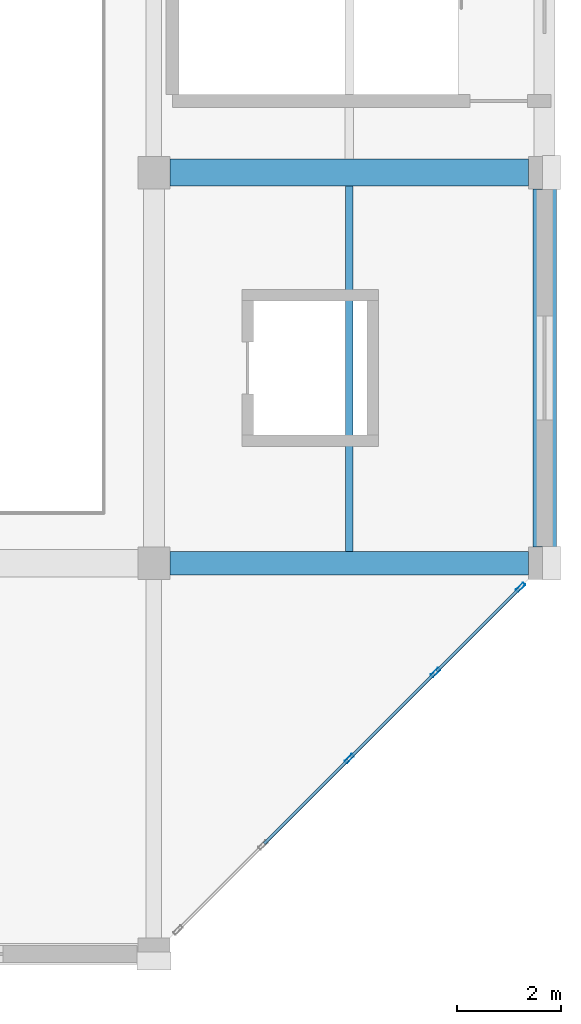
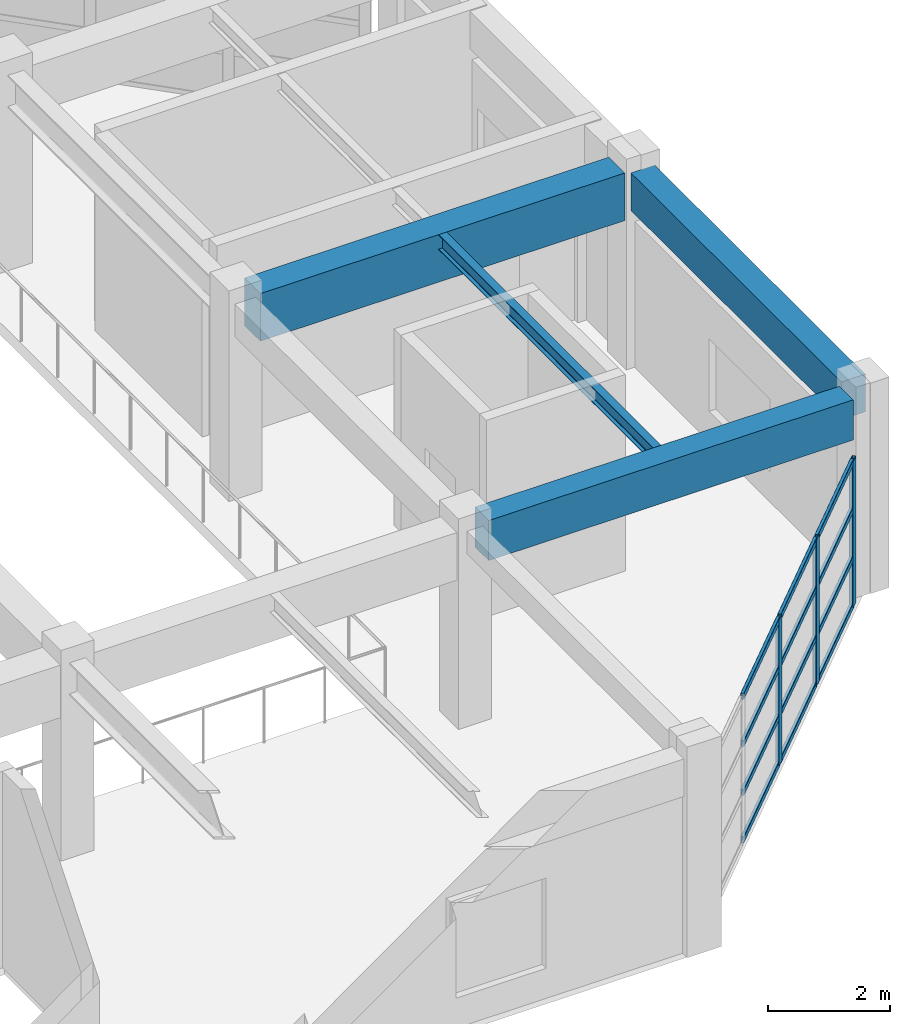
# One storey, part 66 of 124: 15 members, 4 beams, 1 element without a shape of its own.
"""IFC4 building model written with IfcOpenShell, lengths in metres."""

from ifc_helpers import new_model, si_unit, direction, frame, origin, origin_2d, place, context, subcontext, project, spatial, rectangle, hollow_rectangle, i_section, extrude, material, material_profile, profile_set, type_object, element, aggregate, save


model = new_model("IFC4")

# Units and contexts
model_context = context("Model", 3, precision=1e-05, world=origin(), true_north=direction((0.0, 1.0)))
body_context = subcontext(model_context, "Body", "Model", "MODEL_VIEW")
ifc_project = project(units=[si_unit("LENGTHUNIT", "METRE"), si_unit("AREAUNIT", "SQUARE_METRE"), si_unit("VOLUMEUNIT", "CUBIC_METRE"), si_unit("PLANEANGLEUNIT", "RADIAN"), si_unit("MASSUNIT", "GRAM", prefix="KILO")], contexts=[model_context])

# Site, building, storey
site_placement = place(None, origin())
site = spatial("IfcSite", under=ifc_project, at=site_placement, CompositionType="ELEMENT")
building_placement = place(site_placement, origin())
building = spatial("IfcBuilding", under=site, at=building_placement, Name="Qasida Concert Hall", CompositionType="ELEMENT")
storey_placement = place(building_placement, frame((0.0, 0.0, 9.0)))
storey = spatial("IfcBuildingStorey", under=building, at=storey_placement, Name="L02", CompositionType="ELEMENT", Elevation=9.0)

# Beams
ifc_material_1 = material(Name="Concrete C40/50", Category="concrete")
ifc_material_profile_1 = material_profile(ifc_material_1, rectangle(XDim=0.449951171875, YDim=0.800048828125, at=origin_2d()), Name="RC 450x800")
ifc_profile_set_1 = profile_set([ifc_material_profile_1], Name="Concrete C40/50")
beam_type_1 = type_object("IfcBeamType", Name="BM-G2", PredefinedType="USERDEFINED", material=ifc_profile_set_1)
beam_1_placement = place(storey_placement, frame((157.81005859375, 7.5, 3.5), z_axis=(1.0, 0.0, 0.0), x_axis=(0.0, 1.0, 0.0)))
element("IfcBeam", 1, at=beam_1_placement, inside=storey, type_object=beam_type_1, Name="Primary girder 1230", ObjectType="GIRDER", PredefinedType="USERDEFINED", context=body_context, shape_type="SweptSolid", body=[
    extrude(rectangle(XDim=0.449951171875, YDim=0.800048828125, at=origin_2d()), origin(), (0.0, 0.0, 1.0), 6.8798828125),
])
ifc_material_profile_2 = material_profile(ifc_material_1, rectangle(XDim=0.52001953125, YDim=0.949951171875, at=origin_2d()), Name="RC 520x950")
ifc_profile_set_2 = profile_set([ifc_material_profile_2], Name="Concrete C40/50")
beam_type_2 = type_object("IfcBeamType", Name="BM-G7", PredefinedType="USERDEFINED", material=ifc_profile_set_2)
beam_2_placement = place(storey_placement, frame((157.81005859375, 15.0, 3.425048828125), z_axis=(1.0, 0.0, 0.0), x_axis=(0.0, 1.0, 0.0)))
element("IfcBeam", 2, at=beam_2_placement, inside=storey, type_object=beam_type_2, Name="Primary girder 1232", ObjectType="GIRDER", PredefinedType="USERDEFINED", context=body_context, shape_type="SweptSolid", body=[
    extrude(rectangle(XDim=0.52001953125, YDim=0.949951171875, at=origin_2d()), origin(), (0.0, 0.0, 1.0), 6.8798828125),
])
ifc_material_2 = material(Name="Steel S355J2", Category="steel")
ifc_material_profile_3 = material_profile(ifc_material_2, i_section(OverallWidth=0.14990234375, OverallDepth=0.300048828125, WebThickness=0.007080078125, FlangeThickness=0.0107421875, FilletRadius=0.014892578125, at=origin_2d()), Name="IPE 300")
ifc_profile_set_3 = profile_set([ifc_material_profile_3], Name="Steel S355J2")
beam_type_3 = type_object("IfcBeamType", Name="BM-J4", PredefinedType="JOIST", material=ifc_profile_set_3)
beam_3_placement = place(storey_placement, frame((161.25, 7.72509765625, 3.75), z_axis=(0.0, 1.0, 0.0), x_axis=(-1.0, 0.0, 0.0)))
element("IfcBeam", 3, at=beam_3_placement, inside=storey, type_object=beam_type_3, Name="L02 secondary joist 1267", PredefinedType="JOIST", context=body_context, shape_type="SweptSolid", body=[
    extrude(i_section(OverallWidth=0.14990234375, OverallDepth=0.300048828125, WebThickness=0.007080078125, FlangeThickness=0.0107421875, FilletRadius=0.014892578125, at=origin_2d()), origin(), (0.0, 0.0, 1.0), 7.014892578125),
])
ifc_material_profile_4 = material_profile(ifc_material_1, rectangle(XDim=0.449951171875, YDim=0.75, at=origin_2d()), Name="RC 450x750")
ifc_profile_set_4 = profile_set([ifc_material_profile_4], Name="Concrete C40/50")
beam_type_4 = type_object("IfcBeamType", Name="BM-SP4", PredefinedType="SPANDREL", material=ifc_profile_set_4)
beam_4_placement = place(storey_placement, frame((165.0, 7.81005859375, 3.52490234375), z_axis=(0.0, 1.0, 0.0), x_axis=(-1.0, 0.0, 0.0)))
element("IfcBeam", 4, at=beam_4_placement, inside=storey, type_object=beam_type_4, Name="L02 girder 1257", PredefinedType="SPANDREL", context=body_context, shape_type="SweptSolid", body=[
    extrude(rectangle(XDim=0.449951171875, YDim=0.75, at=origin_2d()), origin(), (0.0, 0.0, 1.0), 6.8798828125),
])

# Curtain wall, members
ifc_material_3 = material(Name="Architectural bronze-anodized aluminium and low-E glass", Category="aluminium")
curtain_wall_type = type_object("IfcCurtainWallType", Name="CW-07", PredefinedType="NOTDEFINED", material=ifc_material_3)
curtain_wall_placement = place(storey_placement, origin())
curtain_wall = element("IfcCurtainWall", 5, at=curtain_wall_placement, inside=storey, type_object=curtain_wall_type, Name="L02 curtain wall CW-07 0147", PredefinedType="NOTDEFINED")
ifc_material_4 = material(Name="Architectural bronze-anodized aluminium EN AW-6063", Category="aluminium")
ifc_material_profile_5 = material_profile(ifc_material_4, hollow_rectangle(XDim=0.06494140625, YDim=0.199951171875, WallThickness=0.0048828125, InnerFilletRadius=0.0048828125, OuterFilletRadius=0.010009765625, at=origin_2d()), Name="CWM 200x65x5")
ifc_profile_set_5 = profile_set([ifc_material_profile_5], Name="Architectural bronze-anodized aluminium EN AW-6063")
member_type_1 = type_object("IfcMemberType", Name="MB-CWM-2", PredefinedType="MULLION", material=ifc_profile_set_5)
member_1_placement = place(storey_placement, frame((161.25, 3.75, 0.0), z_axis=(0.0, 0.0, 1.0), x_axis=(-0.707106781187, 0.707106781187, 0.0)))
member_1 = element("IfcMember", 6, at=member_1_placement, type_object=member_type_1, Name="CW-07 mullion 3", PredefinedType="MULLION", context=body_context, shape_type="SweptSolid", body=[
    extrude(hollow_rectangle(XDim=0.06494140625, YDim=0.199951171875, WallThickness=0.0048828125, InnerFilletRadius=0.0048828125, OuterFilletRadius=0.010009765625, at=origin_2d()), origin(), (0.0, 0.0, 1.0), 2.919921875),
])
member_2_placement = place(storey_placement, frame((162.90576171875, 5.40576171875, 0.0), z_axis=(0.0, 0.0, 1.0), x_axis=(-0.707106781187, 0.707106781187, 0.0)))
member_2 = element("IfcMember", 7, at=member_2_placement, type_object=member_type_1, Name="CW-07 mullion 4", PredefinedType="MULLION", context=body_context, shape_type="SweptSolid", body=[
    extrude(hollow_rectangle(XDim=0.06494140625, YDim=0.199951171875, WallThickness=0.0048828125, InnerFilletRadius=0.0048828125, OuterFilletRadius=0.010009765625, at=origin_2d()), origin(), (0.0, 0.0, 1.0), 2.919921875),
])
member_3_placement = place(storey_placement, frame((164.53857421875, 7.03857421875, 0.0), z_axis=(0.0, 0.0, 1.0), x_axis=(-0.707106781187, 0.707106781187, 0.0)))
member_3 = element("IfcMember", 8, at=member_3_placement, type_object=member_type_1, Name="CW-07 mullion 5", PredefinedType="MULLION", context=body_context, shape_type="SweptSolid", body=[
    extrude(hollow_rectangle(XDim=0.06494140625, YDim=0.199951171875, WallThickness=0.0048828125, InnerFilletRadius=0.0048828125, OuterFilletRadius=0.010009765625, at=origin_2d()), origin(), (0.0, 0.0, 1.0), 2.919921875),
])
ifc_material_profile_6 = material_profile(ifc_material_4, hollow_rectangle(XDim=0.06005859375, YDim=0.1201171875, WallThickness=0.00390625, InnerFilletRadius=0.00390625, OuterFilletRadius=0.008056640625, at=origin_2d()), Name="CWT 120x60x4")
ifc_profile_set_6 = profile_set([ifc_material_profile_6], Name="Architectural bronze-anodized aluminium EN AW-6063")
member_type_2 = type_object("IfcMemberType", Name="MB-CWT-2", PredefinedType="USERDEFINED", material=ifc_profile_set_6)
member_4_placement = place(storey_placement, frame((159.6171875, 2.1171875, 0.030029296875), z_axis=(0.707106781187, 0.707106781187, 0.0), x_axis=(-0.707106781187, 0.707106781187, 0.0)))
member_4 = element("IfcMember", 9, at=member_4_placement, type_object=member_type_2, Name="CW-07 transom 2.1", ObjectType="TRANSOM", PredefinedType="USERDEFINED", context=body_context, shape_type="SweptSolid", body=[
    extrude(hollow_rectangle(XDim=0.06005859375, YDim=0.1201171875, WallThickness=0.00390625, InnerFilletRadius=0.00390625, OuterFilletRadius=0.008056640625, at=origin_2d()), origin(), (0.0, 0.0, 1.0), 2.276611328125),
])
member_5_placement = place(storey_placement, frame((159.6171875, 2.1171875, 0.973388671875), z_axis=(0.707106781187, 0.707106781187, 0.0), x_axis=(-0.707106781187, 0.707106781187, 0.0)))
member_5 = element("IfcMember", 10, at=member_5_placement, type_object=member_type_2, Name="CW-07 transom 2.2", ObjectType="TRANSOM", PredefinedType="USERDEFINED", context=body_context, shape_type="SweptSolid", body=[
    extrude(hollow_rectangle(XDim=0.06005859375, YDim=0.1201171875, WallThickness=0.00390625, InnerFilletRadius=0.00390625, OuterFilletRadius=0.008056640625, at=origin_2d()), origin(), (0.0, 0.0, 1.0), 2.276611328125),
])
member_6_placement = place(storey_placement, frame((159.6171875, 2.1171875, 1.94677734375), z_axis=(0.707106781187, 0.707106781187, 0.0), x_axis=(-0.707106781187, 0.707106781187, 0.0)))
member_6 = element("IfcMember", 11, at=member_6_placement, type_object=member_type_2, Name="CW-07 transom 2.3", ObjectType="TRANSOM", PredefinedType="USERDEFINED", context=body_context, shape_type="SweptSolid", body=[
    extrude(hollow_rectangle(XDim=0.06005859375, YDim=0.1201171875, WallThickness=0.00390625, InnerFilletRadius=0.00390625, OuterFilletRadius=0.008056640625, at=origin_2d()), origin(), (0.0, 0.0, 1.0), 2.276611328125),
])
member_7_placement = place(storey_placement, frame((159.6171875, 2.1171875, 2.889892578125), z_axis=(0.707106781187, 0.707106781187, 0.0), x_axis=(-0.707106781187, 0.707106781187, 0.0)))
member_7 = element("IfcMember", 12, at=member_7_placement, type_object=member_type_2, Name="CW-07 transom 2.4", ObjectType="TRANSOM", PredefinedType="USERDEFINED", context=body_context, shape_type="SweptSolid", body=[
    extrude(hollow_rectangle(XDim=0.06005859375, YDim=0.1201171875, WallThickness=0.00390625, InnerFilletRadius=0.00390625, OuterFilletRadius=0.008056640625, at=origin_2d()), origin(), (0.0, 0.0, 1.0), 2.276611328125),
])
member_8_placement = place(storey_placement, frame((161.27294921875, 3.77294921875, 0.030029296875), z_axis=(0.707106781187, 0.707106781187, 0.0), x_axis=(-0.707106781187, 0.707106781187, 0.0)))
member_8 = element("IfcMember", 13, at=member_8_placement, type_object=member_type_2, Name="CW-07 transom 3.1", ObjectType="TRANSOM", PredefinedType="USERDEFINED", context=body_context, shape_type="SweptSolid", body=[
    extrude(hollow_rectangle(XDim=0.06005859375, YDim=0.1201171875, WallThickness=0.00390625, InnerFilletRadius=0.00390625, OuterFilletRadius=0.008056640625, at=origin_2d()), origin(), (0.0, 0.0, 1.0), 2.276611328125),
])
member_9_placement = place(storey_placement, frame((161.27294921875, 3.77294921875, 0.973388671875), z_axis=(0.707106781187, 0.707106781187, 0.0), x_axis=(-0.707106781187, 0.707106781187, 0.0)))
member_9 = element("IfcMember", 14, at=member_9_placement, type_object=member_type_2, Name="CW-07 transom 3.2", ObjectType="TRANSOM", PredefinedType="USERDEFINED", context=body_context, shape_type="SweptSolid", body=[
    extrude(hollow_rectangle(XDim=0.06005859375, YDim=0.1201171875, WallThickness=0.00390625, InnerFilletRadius=0.00390625, OuterFilletRadius=0.008056640625, at=origin_2d()), origin(), (0.0, 0.0, 1.0), 2.276611328125),
])
member_10_placement = place(storey_placement, frame((161.27294921875, 3.77294921875, 1.94677734375), z_axis=(0.707106781187, 0.707106781187, 0.0), x_axis=(-0.707106781187, 0.707106781187, 0.0)))
member_10 = element("IfcMember", 15, at=member_10_placement, type_object=member_type_2, Name="CW-07 transom 3.3", ObjectType="TRANSOM", PredefinedType="USERDEFINED", context=body_context, shape_type="SweptSolid", body=[
    extrude(hollow_rectangle(XDim=0.06005859375, YDim=0.1201171875, WallThickness=0.00390625, InnerFilletRadius=0.00390625, OuterFilletRadius=0.008056640625, at=origin_2d()), origin(), (0.0, 0.0, 1.0), 2.276611328125),
])
member_11_placement = place(storey_placement, frame((161.27294921875, 3.77294921875, 2.889892578125), z_axis=(0.707106781187, 0.707106781187, 0.0), x_axis=(-0.707106781187, 0.707106781187, 0.0)))
member_11 = element("IfcMember", 16, at=member_11_placement, type_object=member_type_2, Name="CW-07 transom 3.4", ObjectType="TRANSOM", PredefinedType="USERDEFINED", context=body_context, shape_type="SweptSolid", body=[
    extrude(hollow_rectangle(XDim=0.06005859375, YDim=0.1201171875, WallThickness=0.00390625, InnerFilletRadius=0.00390625, OuterFilletRadius=0.008056640625, at=origin_2d()), origin(), (0.0, 0.0, 1.0), 2.276611328125),
])
member_12_placement = place(storey_placement, frame((162.9287109375, 5.4287109375, 0.030029296875), z_axis=(0.707106781187, 0.707106781187, 0.0), x_axis=(-0.707106781187, 0.707106781187, 0.0)))
member_12 = element("IfcMember", 17, at=member_12_placement, type_object=member_type_2, Name="CW-07 transom 4.1", ObjectType="TRANSOM", PredefinedType="USERDEFINED", context=body_context, shape_type="SweptSolid", body=[
    extrude(hollow_rectangle(XDim=0.06005859375, YDim=0.1201171875, WallThickness=0.00390625, InnerFilletRadius=0.00390625, OuterFilletRadius=0.008056640625, at=origin_2d()), origin(), (0.0, 0.0, 1.0), 2.244140625),
])
member_13_placement = place(storey_placement, frame((162.9287109375, 5.4287109375, 0.973388671875), z_axis=(0.707106781187, 0.707106781187, 0.0), x_axis=(-0.707106781187, 0.707106781187, 0.0)))
member_13 = element("IfcMember", 18, at=member_13_placement, type_object=member_type_2, Name="CW-07 transom 4.2", ObjectType="TRANSOM", PredefinedType="USERDEFINED", context=body_context, shape_type="SweptSolid", body=[
    extrude(hollow_rectangle(XDim=0.06005859375, YDim=0.1201171875, WallThickness=0.00390625, InnerFilletRadius=0.00390625, OuterFilletRadius=0.008056640625, at=origin_2d()), origin(), (0.0, 0.0, 1.0), 2.244140625),
])
member_14_placement = place(storey_placement, frame((162.9287109375, 5.4287109375, 1.94677734375), z_axis=(0.707106781187, 0.707106781187, 0.0), x_axis=(-0.707106781187, 0.707106781187, 0.0)))
member_14 = element("IfcMember", 19, at=member_14_placement, type_object=member_type_2, Name="CW-07 transom 4.3", ObjectType="TRANSOM", PredefinedType="USERDEFINED", context=body_context, shape_type="SweptSolid", body=[
    extrude(hollow_rectangle(XDim=0.06005859375, YDim=0.1201171875, WallThickness=0.00390625, InnerFilletRadius=0.00390625, OuterFilletRadius=0.008056640625, at=origin_2d()), origin(), (0.0, 0.0, 1.0), 2.244140625),
])
member_15_placement = place(storey_placement, frame((162.9287109375, 5.4287109375, 2.889892578125), z_axis=(0.707106781187, 0.707106781187, 0.0), x_axis=(-0.707106781187, 0.707106781187, 0.0)))
member_15 = element("IfcMember", 20, at=member_15_placement, type_object=member_type_2, Name="CW-07 transom 4.4", ObjectType="TRANSOM", PredefinedType="USERDEFINED", context=body_context, shape_type="SweptSolid", body=[
    extrude(hollow_rectangle(XDim=0.06005859375, YDim=0.1201171875, WallThickness=0.00390625, InnerFilletRadius=0.00390625, OuterFilletRadius=0.008056640625, at=origin_2d()), origin(), (0.0, 0.0, 1.0), 2.244140625),
])
aggregate(curtain_wall, [member_1, member_2, member_3, member_4, member_5, member_6, member_7, member_8, member_9, member_10, member_11, member_12, member_13, member_14, member_15])

save(model, "model.ifc")
